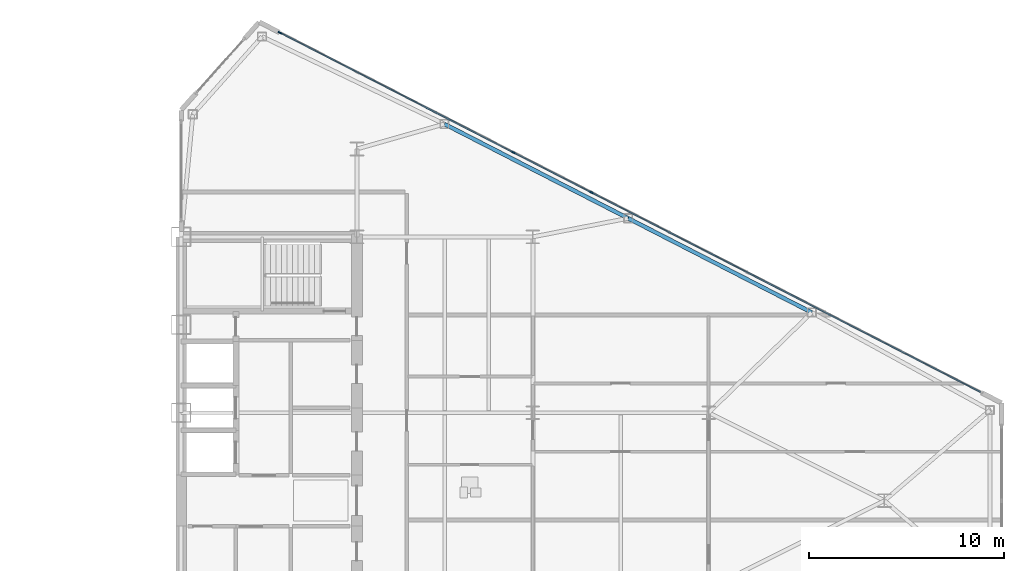
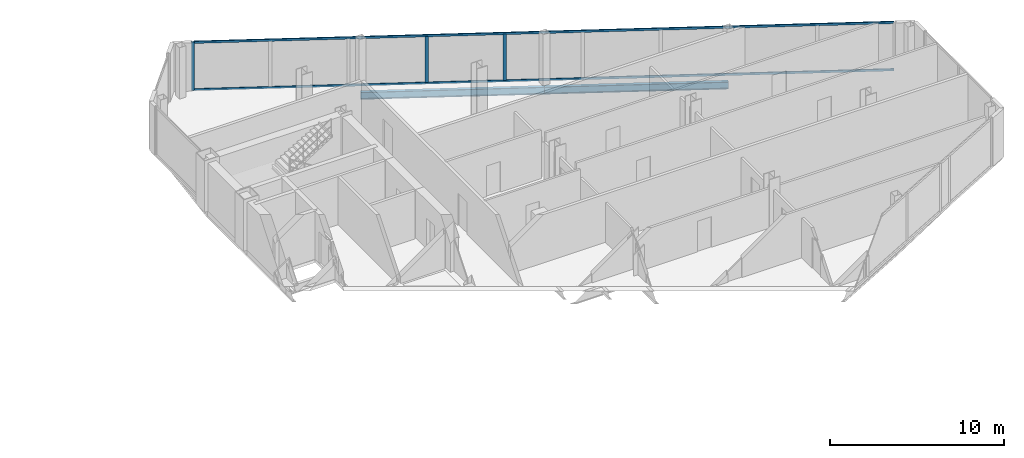
# One storey, part 12 of 23: 5 members, 2 beams, 1 element without a shape of its own.
"""IFC4 building model written with IfcOpenShell, lengths in metres."""

from ifc_helpers import new_model, si_unit, direction, frame, origin, origin_2d, place, context, subcontext, project, spatial, rectangle, i_section, extrude, source, transform, mapped, material, layer, layer_set, material_profile, profile_set, type_object, type_shapes, element, aggregate, save


model = new_model("IFC4")

# Units and contexts
model_context = context("Model", 3, precision=1e-05, world=origin(), true_north=direction((0.0, 1.0)))
body_context = subcontext(model_context, "Body", "Model", "MODEL_VIEW")
ifc_project = project(units=[si_unit("LENGTHUNIT", "METRE"), si_unit("AREAUNIT", "SQUARE_METRE"), si_unit("VOLUMEUNIT", "CUBIC_METRE"), si_unit("PLANEANGLEUNIT", "RADIAN"), si_unit("MASSUNIT", "GRAM", prefix="KILO")], contexts=[model_context])

# Site, building, storey
site_placement = place(None, origin())
site = spatial("IfcSite", under=ifc_project, at=site_placement, CompositionType="ELEMENT")
building_placement = place(site_placement, origin())
building = spatial("IfcBuilding", under=site, at=building_placement, Name="Seokmaru Belvedere", CompositionType="ELEMENT")
storey_placement = place(building_placement, frame((0.0, 0.0, 147.60009765625)))
storey = spatial("IfcBuildingStorey", under=building, at=storey_placement, Name="L39", CompositionType="ELEMENT", Elevation=147.60009765625)

# Beams
ifc_material_1 = material(Name="Steel SM355 (355 MPa)", Category="steel")
ifc_material_profile_1 = material_profile(ifc_material_1, i_section(OverallWidth=0.199951171875, OverallDepth=0.5, WebThickness=0.010009765625, FlangeThickness=0.01611328125, at=origin_2d()), Name="H-500x200x10x16")
ifc_profile_set_1 = profile_set([ifc_material_profile_1], Name="Steel SM355 (355 MPa)")
beam_type = type_object("IfcBeamType", Name="Perimeter Spandrel Beam H-500", PredefinedType="SPANDREL", material=ifc_profile_set_1)
shared_shape_1 = source(origin(), body_context, "Body", "SweptSolid", [
    extrude(i_section(OverallWidth=0.199951171875, OverallDepth=0.5, WebThickness=0.010009765625, FlangeThickness=0.01611328125, at=origin_2d()), origin(), (0.0, 0.0, 1.0), 10.56689453125),
])
type_shapes(beam_type, [shared_shape_1])
for number, where, z_axis, x_axis, name in (
    (1, (40.975830078125, 19.277587890625, -0.47021484375), (0.889701972758, -0.45654178305, 0.0), (0.45654178305, 0.889701972758, 0.0), "L39 E Faceted Flank Spandrel N-2"),
    (2, (50.377197265625, 14.453369140625, -0.47021484375), (0.889692588006, -0.456560071455, 0.0), (0.456560071455, 0.889692588006, 0.0), "L39 E Faceted Flank Spandrel N-3"),
):
    element("IfcBeam", number, at=place(storey_placement, frame(where, z_axis=z_axis, x_axis=x_axis)), inside=storey, type_object=beam_type, Name=name, PredefinedType="SPANDREL", context=body_context, shape_type="MappedRepresentation", body=[
        mapped(shared_shape_1, transform((0.0, 0.0, 0.0), scale=1.0)),
    ])

# Curtain wall, members
ifc_material_2 = material(Name="Bronze Triple Insulating Glass", Category="glass")
ifc_layer = layer(ifc_material_2, 0.195068359375)
ifc_layer_set = layer_set([ifc_layer], Name="Bronze Triple Insulating Glass")
curtain_wall_type = type_object("IfcCurtainWallType", Name="Sky-Lobby and Mid-Rise Curtain Wall System CW-4", PredefinedType="NOTDEFINED", material=ifc_layer_set)
curtain_wall_placement = place(storey_placement, origin())
curtain_wall = element("IfcCurtainWall", 3, at=curtain_wall_placement, inside=storey, type_object=curtain_wall_type, Name="L39 Curtain Wall EF3", PredefinedType="NOTDEFINED")
ifc_material_3 = material(Name="Anodised Bronze Aluminium", Category="aluminium")
ifc_material_profile_2 = material_profile(ifc_material_3, rectangle(XDim=0.070068359375, YDim=0.195068359375, at=origin_2d()), Name="CW-M-70x195")
ifc_profile_set_2 = profile_set([ifc_material_profile_2], Name="Anodised Bronze Aluminium")
member_type_1 = type_object("IfcMemberType", Name="Bronze Unitised Mullion 70x195", PredefinedType="MULLION", material=ifc_profile_set_2)
shared_shape_2 = source(origin(), body_context, "Body", "SweptSolid", [
    extrude(rectangle(XDim=0.070068359375, YDim=0.195068359375, at=origin_2d()), origin(), (0.0, 0.0, 1.0), 3.3798828125),
])
member_1_placement = place(storey_placement, frame((32.55419921875, 23.958984375, 0.0), z_axis=(0.0, 0.0, 1.0), x_axis=(-0.456554528263, -0.889695432562, 0.0)))
member_1 = element("IfcMember", 4, at=member_1_placement, type_object=member_type_1, Name="CW:L39:EF3 Mullion 10", PredefinedType="MULLION", context=body_context, shape_type="MappedRepresentation", body=[
    mapped(shared_shape_2, transform((0.0, 0.0, 0.0), scale=1.0)),
])
shared_shape_3 = source(origin(), body_context, "Body", "SweptSolid", [
    extrude(rectangle(XDim=0.070068359375, YDim=0.195068359375, at=origin_2d()), origin(), (0.0, 0.0, 1.0), 3.25),
])
type_shapes(member_type_1, [shared_shape_2, shared_shape_3])
member_2_placement = place(storey_placement, frame((48.502685546875, 15.77490234375, 0.06494140625), z_axis=(0.0, 0.0, 1.0), x_axis=(-0.456554528263, -0.889695432562, 0.0)))
member_2 = element("IfcMember", 5, at=member_2_placement, type_object=member_type_1, Name="CW:L39:EF3 Mullion 6", PredefinedType="MULLION", context=body_context, shape_type="MappedRepresentation", body=[
    mapped(shared_shape_3, transform((0.0, 0.0, 0.0), scale=1.0)),
])
member_3_placement = place(storey_placement, frame((44.5078125, 17.824951171875, 0.06494140625), z_axis=(0.0, 0.0, 1.0), x_axis=(-0.456554528263, -0.889695432562, 0.0)))
member_3 = element("IfcMember", 6, at=member_3_placement, type_object=member_type_1, Name="CW:L39:EF3 Mullion 7", PredefinedType="MULLION", context=body_context, shape_type="MappedRepresentation", body=[
    mapped(shared_shape_3, transform((0.0, 0.0, 0.0), scale=1.0)),
])
ifc_material_profile_3 = material_profile(ifc_material_3, rectangle(XDim=0.06494140625, YDim=0.14990234375, at=origin_2d()), Name="CW-T-65x150")
ifc_profile_set_3 = profile_set([ifc_material_profile_3], Name="Anodised Bronze Aluminium")
member_type_2 = type_object("IfcMemberType", Name="Bronze Unitised Transom 65x150", PredefinedType="USERDEFINED", material=ifc_profile_set_3)
shared_shape_4 = source(origin(), body_context, "Body", "SweptSolid", [
    extrude(rectangle(XDim=0.06494140625, YDim=0.14990234375, at=origin_2d()), origin(), (0.0, 0.0, 1.0), 40.271240234375),
])
type_shapes(member_type_2, [shared_shape_4])
member_4_placement = place(storey_placement, frame((68.41455078125, 5.556884765625, 0.032470703125), z_axis=(-0.889693089107, 0.456559094965, 0.0), x_axis=(-0.456559094965, -0.889693089107, 0.0)))
member_4 = element("IfcMember", 7, at=member_4_placement, type_object=member_type_2, Name="CW:L39:EF3 Continuous Transom 1", ObjectType="TRANSOM", PredefinedType="USERDEFINED", context=body_context, shape_type="MappedRepresentation", body=[
    mapped(shared_shape_4, transform((0.0, 0.0, 0.0), scale=1.0)),
])
member_5_placement = place(storey_placement, frame((68.41455078125, 5.556884765625, 3.347412109375), z_axis=(-0.889693089107, 0.456559094965, 0.0), x_axis=(-0.456559094965, -0.889693089107, 0.0)))
member_5 = element("IfcMember", 8, at=member_5_placement, type_object=member_type_2, Name="CW:L39:EF3 Continuous Transom 2", ObjectType="TRANSOM", PredefinedType="USERDEFINED", context=body_context, shape_type="MappedRepresentation", body=[
    mapped(shared_shape_4, transform((0.0, 0.0, 0.0), scale=1.0)),
])
aggregate(curtain_wall, [member_2, member_3, member_1, member_4, member_5])

save(model, "model.ifc")
